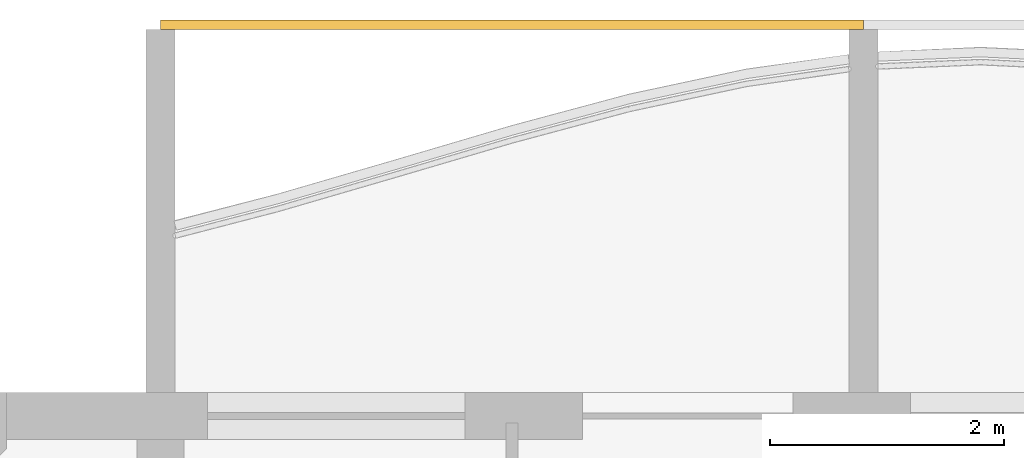
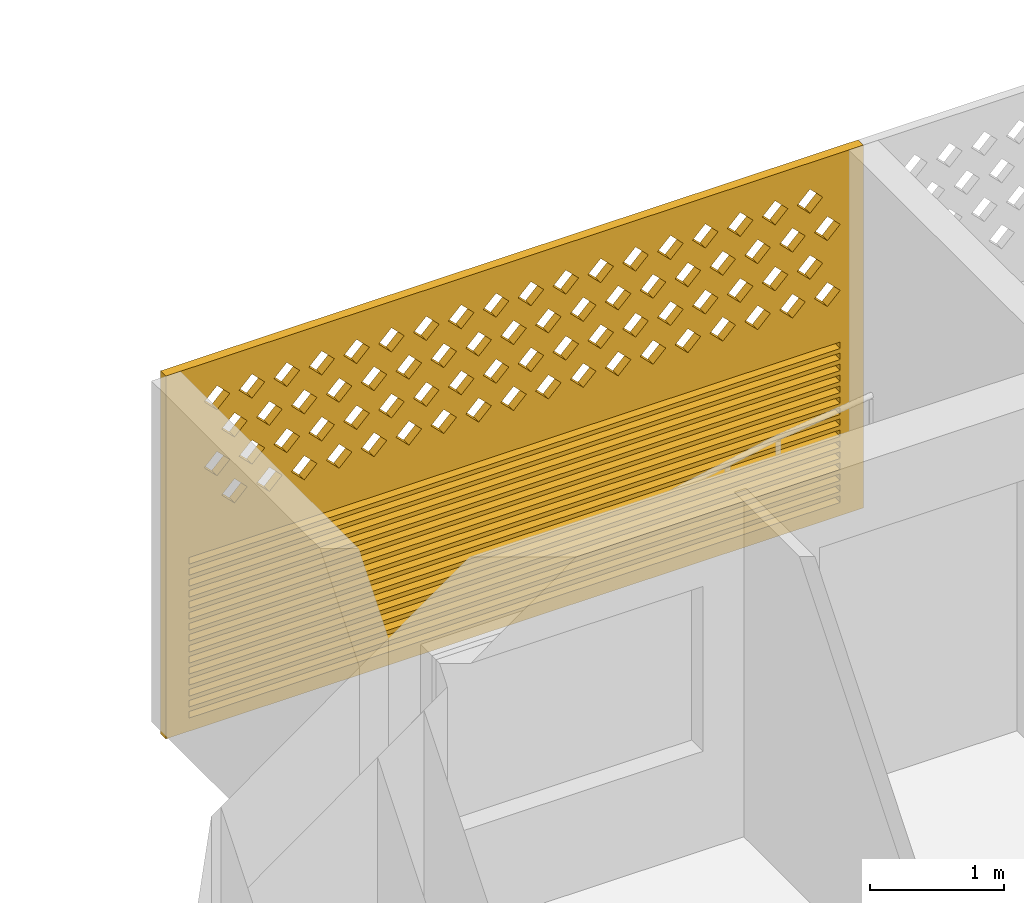
# One storey, part 21 of 40: 1 covering.
"""IFC4 building model written with IfcOpenShell, lengths in metres."""

from ifc_helpers import new_model, si_unit, direction, frame, origin, place, context, subcontext, project, spatial, polyline, outline, extrude, source, transform, mapped, material, material_profile, profile_set, type_object, element, save


model = new_model("IFC4")

# Units and contexts
model_context = context("Model", 3, precision=1e-05, world=origin(), true_north=direction((0.0, 1.0)))
body_context = subcontext(model_context, "Body", "Model", "MODEL_VIEW")
ifc_project = project(units=[si_unit("LENGTHUNIT", "METRE"), si_unit("AREAUNIT", "SQUARE_METRE"), si_unit("VOLUMEUNIT", "CUBIC_METRE"), si_unit("PLANEANGLEUNIT", "RADIAN"), si_unit("MASSUNIT", "GRAM", prefix="KILO")], contexts=[model_context])

# Site, building, storey
site_placement = place(None, origin())
site = spatial("IfcSite", under=ifc_project, at=site_placement, CompositionType="ELEMENT")
building_placement = place(site_placement, origin())
building = spatial("IfcBuilding", under=site, at=building_placement, Name="Poui Terraces", CompositionType="ELEMENT")
storey_placement = place(building_placement, frame((0.0, 0.0, 33.300048828125)))
storey = spatial("IfcBuildingStorey", under=building, at=storey_placement, Name="L08", CompositionType="ELEMENT", Elevation=33.300048828125)

# Covering
ifc_material = material(Name="Terracotta screen", Category="masonry")
ifc_material_profile = material_profile(ifc_material, outline(polyline([(-3.0, -1.64990234375), (3.0, -1.64990234375), (3.0, 1.64990234375), (-3.0, 1.64990234375), (-3.0, -1.64990234375)]), holes=[polyline([(-2.800048828125, 0.39990234375), (-2.68994140625, 0.2900390625), (-2.580078125, 0.39990234375), (-2.68994140625, 0.510009765625), (-2.800048828125, 0.39990234375)]), polyline([(-2.5, 0.39990234375), (-2.389892578125, 0.2900390625), (-2.280029296875, 0.39990234375), (-2.389892578125, 0.510009765625), (-2.5, 0.39990234375)]), polyline([(-2.199951171875, 0.39990234375), (-2.090087890625, 0.2900390625), (-1.97998046875, 0.39990234375), (-2.090087890625, 0.510009765625), (-2.199951171875, 0.39990234375)]), polyline([(-1.89990234375, 0.39990234375), (-1.7900390625, 0.2900390625), (-1.679931640625, 0.39990234375), (-1.7900390625, 0.510009765625), (-1.89990234375, 0.39990234375)]), polyline([(-1.60009765625, 0.39990234375), (-1.489990234375, 0.2900390625), (-1.3798828125, 0.39990234375), (-1.489990234375, 0.510009765625), (-1.60009765625, 0.39990234375)]), polyline([(-1.300048828125, 0.39990234375), (-1.18994140625, 0.2900390625), (-1.080078125, 0.39990234375), (-1.18994140625, 0.510009765625), (-1.300048828125, 0.39990234375)]), polyline([(-1.0, 0.39990234375), (-0.889892578125, 0.2900390625), (-0.780029296875, 0.39990234375), (-0.889892578125, 0.510009765625), (-1.0, 0.39990234375)]), polyline([(-0.699951171875, 0.39990234375), (-0.590087890625, 0.2900390625), (-0.47998046875, 0.39990234375), (-0.590087890625, 0.510009765625), (-0.699951171875, 0.39990234375)]), polyline([(-0.39990234375, 0.39990234375), (-0.2900390625, 0.2900390625), (-0.179931640625, 0.39990234375), (-0.2900390625, 0.510009765625), (-0.39990234375, 0.39990234375)]), polyline([(-0.10009765625, 0.39990234375), (0.010009765625, 0.2900390625), (0.1201171875, 0.39990234375), (0.010009765625, 0.510009765625), (-0.10009765625, 0.39990234375)]), polyline([(0.199951171875, 0.39990234375), (0.31005859375, 0.2900390625), (0.419921875, 0.39990234375), (0.31005859375, 0.510009765625), (0.199951171875, 0.39990234375)]), polyline([(0.5, 0.39990234375), (0.610107421875, 0.2900390625), (0.719970703125, 0.39990234375), (0.610107421875, 0.510009765625), (0.5, 0.39990234375)]), polyline([(0.800048828125, 0.39990234375), (0.909912109375, 0.2900390625), (1.02001953125, 0.39990234375), (0.909912109375, 0.510009765625), (0.800048828125, 0.39990234375)]), polyline([(1.10009765625, 0.39990234375), (1.2099609375, 0.2900390625), (1.320068359375, 0.39990234375), (1.2099609375, 0.510009765625), (1.10009765625, 0.39990234375)]), polyline([(1.39990234375, 0.39990234375), (1.510009765625, 0.2900390625), (1.6201171875, 0.39990234375), (1.510009765625, 0.510009765625), (1.39990234375, 0.39990234375)]), polyline([(1.699951171875, 0.39990234375), (1.81005859375, 0.2900390625), (1.919921875, 0.39990234375), (1.81005859375, 0.510009765625), (1.699951171875, 0.39990234375)]), polyline([(2.0, 0.39990234375), (2.110107421875, 0.2900390625), (2.219970703125, 0.39990234375), (2.110107421875, 0.510009765625), (2.0, 0.39990234375)]), polyline([(2.300048828125, 0.39990234375), (2.409912109375, 0.2900390625), (2.52001953125, 0.39990234375), (2.409912109375, 0.510009765625), (2.300048828125, 0.39990234375)]), polyline([(-2.64990234375, 0.699951171875), (-2.5400390625, 0.590087890625), (-2.429931640625, 0.699951171875), (-2.5400390625, 0.81005859375), (-2.64990234375, 0.699951171875)]), polyline([(-2.35009765625, 0.699951171875), (-2.239990234375, 0.590087890625), (-2.1298828125, 0.699951171875), (-2.239990234375, 0.81005859375), (-2.35009765625, 0.699951171875)]), polyline([(-2.050048828125, 0.699951171875), (-1.93994140625, 0.590087890625), (-1.830078125, 0.699951171875), (-1.93994140625, 0.81005859375), (-2.050048828125, 0.699951171875)]), polyline([(-1.75, 0.699951171875), (-1.639892578125, 0.590087890625), (-1.530029296875, 0.699951171875), (-1.639892578125, 0.81005859375), (-1.75, 0.699951171875)]), polyline([(-1.449951171875, 0.699951171875), (-1.340087890625, 0.590087890625), (-1.22998046875, 0.699951171875), (-1.340087890625, 0.81005859375), (-1.449951171875, 0.699951171875)]), polyline([(-1.14990234375, 0.699951171875), (-1.0400390625, 0.590087890625), (-0.929931640625, 0.699951171875), (-1.0400390625, 0.81005859375), (-1.14990234375, 0.699951171875)]), polyline([(-0.85009765625, 0.699951171875), (-0.739990234375, 0.590087890625), (-0.6298828125, 0.699951171875), (-0.739990234375, 0.81005859375), (-0.85009765625, 0.699951171875)]), polyline([(-0.550048828125, 0.699951171875), (-0.43994140625, 0.590087890625), (-0.330078125, 0.699951171875), (-0.43994140625, 0.81005859375), (-0.550048828125, 0.699951171875)]), polyline([(-0.25, 0.699951171875), (-0.139892578125, 0.590087890625), (-0.030029296875, 0.699951171875), (-0.139892578125, 0.81005859375), (-0.25, 0.699951171875)]), polyline([(0.050048828125, 0.699951171875), (0.159912109375, 0.590087890625), (0.27001953125, 0.699951171875), (0.159912109375, 0.81005859375), (0.050048828125, 0.699951171875)]), polyline([(0.35009765625, 0.699951171875), (0.4599609375, 0.590087890625), (0.570068359375, 0.699951171875), (0.4599609375, 0.81005859375), (0.35009765625, 0.699951171875)]), polyline([(0.64990234375, 0.699951171875), (0.760009765625, 0.590087890625), (0.8701171875, 0.699951171875), (0.760009765625, 0.81005859375), (0.64990234375, 0.699951171875)]), polyline([(0.949951171875, 0.699951171875), (1.06005859375, 0.590087890625), (1.169921875, 0.699951171875), (1.06005859375, 0.81005859375), (0.949951171875, 0.699951171875)]), polyline([(1.25, 0.699951171875), (1.360107421875, 0.590087890625), (1.469970703125, 0.699951171875), (1.360107421875, 0.81005859375), (1.25, 0.699951171875)]), polyline([(1.550048828125, 0.699951171875), (1.659912109375, 0.590087890625), (1.77001953125, 0.699951171875), (1.659912109375, 0.81005859375), (1.550048828125, 0.699951171875)]), polyline([(1.85009765625, 0.699951171875), (1.9599609375, 0.590087890625), (2.070068359375, 0.699951171875), (1.9599609375, 0.81005859375), (1.85009765625, 0.699951171875)]), polyline([(2.14990234375, 0.699951171875), (2.260009765625, 0.590087890625), (2.3701171875, 0.699951171875), (2.260009765625, 0.81005859375), (2.14990234375, 0.699951171875)]), polyline([(2.449951171875, 0.699951171875), (2.56005859375, 0.590087890625), (2.669921875, 0.699951171875), (2.56005859375, 0.81005859375), (2.449951171875, 0.699951171875)]), polyline([(-2.800048828125, 1.0), (-2.68994140625, 0.889892578125), (-2.580078125, 1.0), (-2.68994140625, 1.110107421875), (-2.800048828125, 1.0)]), polyline([(-2.5, 1.0), (-2.389892578125, 0.889892578125), (-2.280029296875, 1.0), (-2.389892578125, 1.110107421875), (-2.5, 1.0)]), polyline([(-2.199951171875, 1.0), (-2.090087890625, 0.889892578125), (-1.97998046875, 1.0), (-2.090087890625, 1.110107421875), (-2.199951171875, 1.0)]), polyline([(-1.89990234375, 1.0), (-1.7900390625, 0.889892578125), (-1.679931640625, 1.0), (-1.7900390625, 1.110107421875), (-1.89990234375, 1.0)]), polyline([(-1.60009765625, 1.0), (-1.489990234375, 0.889892578125), (-1.3798828125, 1.0), (-1.489990234375, 1.110107421875), (-1.60009765625, 1.0)]), polyline([(-1.300048828125, 1.0), (-1.18994140625, 0.889892578125), (-1.080078125, 1.0), (-1.18994140625, 1.110107421875), (-1.300048828125, 1.0)]), polyline([(-1.0, 1.0), (-0.889892578125, 0.889892578125), (-0.780029296875, 1.0), (-0.889892578125, 1.110107421875), (-1.0, 1.0)]), polyline([(-0.699951171875, 1.0), (-0.590087890625, 0.889892578125), (-0.47998046875, 1.0), (-0.590087890625, 1.110107421875), (-0.699951171875, 1.0)]), polyline([(-0.39990234375, 1.0), (-0.2900390625, 0.889892578125), (-0.179931640625, 1.0), (-0.2900390625, 1.110107421875), (-0.39990234375, 1.0)]), polyline([(-0.10009765625, 1.0), (0.010009765625, 0.889892578125), (0.1201171875, 1.0), (0.010009765625, 1.110107421875), (-0.10009765625, 1.0)]), polyline([(0.199951171875, 1.0), (0.31005859375, 0.889892578125), (0.419921875, 1.0), (0.31005859375, 1.110107421875), (0.199951171875, 1.0)]), polyline([(0.5, 1.0), (0.610107421875, 0.889892578125), (0.719970703125, 1.0), (0.610107421875, 1.110107421875), (0.5, 1.0)]), polyline([(0.800048828125, 1.0), (0.909912109375, 0.889892578125), (1.02001953125, 1.0), (0.909912109375, 1.110107421875), (0.800048828125, 1.0)]), polyline([(1.10009765625, 1.0), (1.2099609375, 0.889892578125), (1.320068359375, 1.0), (1.2099609375, 1.110107421875), (1.10009765625, 1.0)]), polyline([(1.39990234375, 1.0), (1.510009765625, 0.889892578125), (1.6201171875, 1.0), (1.510009765625, 1.110107421875), (1.39990234375, 1.0)]), polyline([(1.699951171875, 1.0), (1.81005859375, 0.889892578125), (1.919921875, 1.0), (1.81005859375, 1.110107421875), (1.699951171875, 1.0)]), polyline([(2.0, 1.0), (2.110107421875, 0.889892578125), (2.219970703125, 1.0), (2.110107421875, 1.110107421875), (2.0, 1.0)]), polyline([(2.300048828125, 1.0), (2.409912109375, 0.889892578125), (2.52001953125, 1.0), (2.409912109375, 1.110107421875), (2.300048828125, 1.0)]), polyline([(-2.64990234375, 1.300048828125), (-2.5400390625, 1.18994140625), (-2.429931640625, 1.300048828125), (-2.5400390625, 1.409912109375), (-2.64990234375, 1.300048828125)]), polyline([(-2.35009765625, 1.300048828125), (-2.239990234375, 1.18994140625), (-2.1298828125, 1.300048828125), (-2.239990234375, 1.409912109375), (-2.35009765625, 1.300048828125)]), polyline([(-2.050048828125, 1.300048828125), (-1.93994140625, 1.18994140625), (-1.830078125, 1.300048828125), (-1.93994140625, 1.409912109375), (-2.050048828125, 1.300048828125)]), polyline([(-1.75, 1.300048828125), (-1.639892578125, 1.18994140625), (-1.530029296875, 1.300048828125), (-1.639892578125, 1.409912109375), (-1.75, 1.300048828125)]), polyline([(-1.449951171875, 1.300048828125), (-1.340087890625, 1.18994140625), (-1.22998046875, 1.300048828125), (-1.340087890625, 1.409912109375), (-1.449951171875, 1.300048828125)]), polyline([(-1.14990234375, 1.300048828125), (-1.0400390625, 1.18994140625), (-0.929931640625, 1.300048828125), (-1.0400390625, 1.409912109375), (-1.14990234375, 1.300048828125)]), polyline([(-0.85009765625, 1.300048828125), (-0.739990234375, 1.18994140625), (-0.6298828125, 1.300048828125), (-0.739990234375, 1.409912109375), (-0.85009765625, 1.300048828125)]), polyline([(-0.550048828125, 1.300048828125), (-0.43994140625, 1.18994140625), (-0.330078125, 1.300048828125), (-0.43994140625, 1.409912109375), (-0.550048828125, 1.300048828125)]), polyline([(-0.25, 1.300048828125), (-0.139892578125, 1.18994140625), (-0.030029296875, 1.300048828125), (-0.139892578125, 1.409912109375), (-0.25, 1.300048828125)]), polyline([(0.050048828125, 1.300048828125), (0.159912109375, 1.18994140625), (0.27001953125, 1.300048828125), (0.159912109375, 1.409912109375), (0.050048828125, 1.300048828125)]), polyline([(0.35009765625, 1.300048828125), (0.4599609375, 1.18994140625), (0.570068359375, 1.300048828125), (0.4599609375, 1.409912109375), (0.35009765625, 1.300048828125)]), polyline([(0.64990234375, 1.300048828125), (0.760009765625, 1.18994140625), (0.8701171875, 1.300048828125), (0.760009765625, 1.409912109375), (0.64990234375, 1.300048828125)]), polyline([(0.949951171875, 1.300048828125), (1.06005859375, 1.18994140625), (1.169921875, 1.300048828125), (1.06005859375, 1.409912109375), (0.949951171875, 1.300048828125)]), polyline([(1.25, 1.300048828125), (1.360107421875, 1.18994140625), (1.469970703125, 1.300048828125), (1.360107421875, 1.409912109375), (1.25, 1.300048828125)]), polyline([(1.550048828125, 1.300048828125), (1.659912109375, 1.18994140625), (1.77001953125, 1.300048828125), (1.659912109375, 1.409912109375), (1.550048828125, 1.300048828125)]), polyline([(1.85009765625, 1.300048828125), (1.9599609375, 1.18994140625), (2.070068359375, 1.300048828125), (1.9599609375, 1.409912109375), (1.85009765625, 1.300048828125)]), polyline([(2.14990234375, 1.300048828125), (2.260009765625, 1.18994140625), (2.3701171875, 1.300048828125), (2.260009765625, 1.409912109375), (2.14990234375, 1.300048828125)]), polyline([(2.449951171875, 1.300048828125), (2.56005859375, 1.18994140625), (2.669921875, 1.300048828125), (2.56005859375, 1.409912109375), (2.449951171875, 1.300048828125)]), polyline([(-2.800048828125, -1.530029296875), (2.800048828125, -1.530029296875), (2.800048828125, -1.469970703125), (-2.800048828125, -1.469970703125), (-2.800048828125, -1.530029296875)]), polyline([(-2.800048828125, -1.429931640625), (2.800048828125, -1.429931640625), (2.800048828125, -1.3701171875), (-2.800048828125, -1.3701171875), (-2.800048828125, -1.429931640625)]), polyline([(-2.800048828125, -1.330078125), (2.800048828125, -1.330078125), (2.800048828125, -1.27001953125), (-2.800048828125, -1.27001953125), (-2.800048828125, -1.330078125)]), polyline([(-2.800048828125, -1.22998046875), (2.800048828125, -1.22998046875), (2.800048828125, -1.169921875), (-2.800048828125, -1.169921875), (-2.800048828125, -1.22998046875)]), polyline([(-2.800048828125, -1.1298828125), (2.800048828125, -1.1298828125), (2.800048828125, -1.070068359375), (-2.800048828125, -1.070068359375), (-2.800048828125, -1.1298828125)]), polyline([(-2.800048828125, -1.030029296875), (2.800048828125, -1.030029296875), (2.800048828125, -0.969970703125), (-2.800048828125, -0.969970703125), (-2.800048828125, -1.030029296875)]), polyline([(-2.800048828125, -0.929931640625), (2.800048828125, -0.929931640625), (2.800048828125, -0.8701171875), (-2.800048828125, -0.8701171875), (-2.800048828125, -0.929931640625)]), polyline([(-2.800048828125, -0.830078125), (2.800048828125, -0.830078125), (2.800048828125, -0.77001953125), (-2.800048828125, -0.77001953125), (-2.800048828125, -0.830078125)]), polyline([(-2.800048828125, -0.72998046875), (2.800048828125, -0.72998046875), (2.800048828125, -0.669921875), (-2.800048828125, -0.669921875), (-2.800048828125, -0.72998046875)]), polyline([(-2.800048828125, -0.6298828125), (2.800048828125, -0.6298828125), (2.800048828125, -0.570068359375), (-2.800048828125, -0.570068359375), (-2.800048828125, -0.6298828125)]), polyline([(-2.800048828125, -0.530029296875), (2.800048828125, -0.530029296875), (2.800048828125, -0.469970703125), (-2.800048828125, -0.469970703125), (-2.800048828125, -0.530029296875)]), polyline([(-2.800048828125, -0.429931640625), (2.800048828125, -0.429931640625), (2.800048828125, -0.3701171875), (-2.800048828125, -0.3701171875), (-2.800048828125, -0.429931640625)]), polyline([(-2.800048828125, -0.330078125), (2.800048828125, -0.330078125), (2.800048828125, -0.27001953125), (-2.800048828125, -0.27001953125), (-2.800048828125, -0.330078125)]), polyline([(-2.800048828125, -0.22998046875), (2.800048828125, -0.22998046875), (2.800048828125, -0.169921875), (-2.800048828125, -0.169921875), (-2.800048828125, -0.22998046875)]), polyline([(-2.800048828125, -0.1298828125), (2.800048828125, -0.1298828125), (2.800048828125, -0.070068359375), (-2.800048828125, -0.070068359375), (-2.800048828125, -0.1298828125)])]), Name="TERRACOTTA SCREEN AND JALOUSIE LOUVRE 6000X3300")
ifc_profile_set = profile_set([ifc_material_profile], Name="Terracotta screen")
covering_type = type_object("IfcCoveringType", Name="TERRACOTTA SCREEN AND JALOUSIE LOUVRE 6000X3300", PredefinedType="CLADDING", material=ifc_profile_set)
shared_shape = source(origin(), body_context, "Body", "SweptSolid", [
    extrude(outline(polyline([(-3.0, -1.64990234375), (3.0, -1.64990234375), (3.0, 1.64990234375), (-3.0, 1.64990234375), (-3.0, -1.64990234375)]), holes=[polyline([(-2.800048828125, 0.39990234375), (-2.68994140625, 0.2900390625), (-2.580078125, 0.39990234375), (-2.68994140625, 0.510009765625), (-2.800048828125, 0.39990234375)]), polyline([(-2.5, 0.39990234375), (-2.389892578125, 0.2900390625), (-2.280029296875, 0.39990234375), (-2.389892578125, 0.510009765625), (-2.5, 0.39990234375)]), polyline([(-2.199951171875, 0.39990234375), (-2.090087890625, 0.2900390625), (-1.97998046875, 0.39990234375), (-2.090087890625, 0.510009765625), (-2.199951171875, 0.39990234375)]), polyline([(-1.89990234375, 0.39990234375), (-1.7900390625, 0.2900390625), (-1.679931640625, 0.39990234375), (-1.7900390625, 0.510009765625), (-1.89990234375, 0.39990234375)]), polyline([(-1.60009765625, 0.39990234375), (-1.489990234375, 0.2900390625), (-1.3798828125, 0.39990234375), (-1.489990234375, 0.510009765625), (-1.60009765625, 0.39990234375)]), polyline([(-1.300048828125, 0.39990234375), (-1.18994140625, 0.2900390625), (-1.080078125, 0.39990234375), (-1.18994140625, 0.510009765625), (-1.300048828125, 0.39990234375)]), polyline([(-1.0, 0.39990234375), (-0.889892578125, 0.2900390625), (-0.780029296875, 0.39990234375), (-0.889892578125, 0.510009765625), (-1.0, 0.39990234375)]), polyline([(-0.699951171875, 0.39990234375), (-0.590087890625, 0.2900390625), (-0.47998046875, 0.39990234375), (-0.590087890625, 0.510009765625), (-0.699951171875, 0.39990234375)]), polyline([(-0.39990234375, 0.39990234375), (-0.2900390625, 0.2900390625), (-0.179931640625, 0.39990234375), (-0.2900390625, 0.510009765625), (-0.39990234375, 0.39990234375)]), polyline([(-0.10009765625, 0.39990234375), (0.010009765625, 0.2900390625), (0.1201171875, 0.39990234375), (0.010009765625, 0.510009765625), (-0.10009765625, 0.39990234375)]), polyline([(0.199951171875, 0.39990234375), (0.31005859375, 0.2900390625), (0.419921875, 0.39990234375), (0.31005859375, 0.510009765625), (0.199951171875, 0.39990234375)]), polyline([(0.5, 0.39990234375), (0.610107421875, 0.2900390625), (0.719970703125, 0.39990234375), (0.610107421875, 0.510009765625), (0.5, 0.39990234375)]), polyline([(0.800048828125, 0.39990234375), (0.909912109375, 0.2900390625), (1.02001953125, 0.39990234375), (0.909912109375, 0.510009765625), (0.800048828125, 0.39990234375)]), polyline([(1.10009765625, 0.39990234375), (1.2099609375, 0.2900390625), (1.320068359375, 0.39990234375), (1.2099609375, 0.510009765625), (1.10009765625, 0.39990234375)]), polyline([(1.39990234375, 0.39990234375), (1.510009765625, 0.2900390625), (1.6201171875, 0.39990234375), (1.510009765625, 0.510009765625), (1.39990234375, 0.39990234375)]), polyline([(1.699951171875, 0.39990234375), (1.81005859375, 0.2900390625), (1.919921875, 0.39990234375), (1.81005859375, 0.510009765625), (1.699951171875, 0.39990234375)]), polyline([(2.0, 0.39990234375), (2.110107421875, 0.2900390625), (2.219970703125, 0.39990234375), (2.110107421875, 0.510009765625), (2.0, 0.39990234375)]), polyline([(2.300048828125, 0.39990234375), (2.409912109375, 0.2900390625), (2.52001953125, 0.39990234375), (2.409912109375, 0.510009765625), (2.300048828125, 0.39990234375)]), polyline([(-2.64990234375, 0.699951171875), (-2.5400390625, 0.590087890625), (-2.429931640625, 0.699951171875), (-2.5400390625, 0.81005859375), (-2.64990234375, 0.699951171875)]), polyline([(-2.35009765625, 0.699951171875), (-2.239990234375, 0.590087890625), (-2.1298828125, 0.699951171875), (-2.239990234375, 0.81005859375), (-2.35009765625, 0.699951171875)]), polyline([(-2.050048828125, 0.699951171875), (-1.93994140625, 0.590087890625), (-1.830078125, 0.699951171875), (-1.93994140625, 0.81005859375), (-2.050048828125, 0.699951171875)]), polyline([(-1.75, 0.699951171875), (-1.639892578125, 0.590087890625), (-1.530029296875, 0.699951171875), (-1.639892578125, 0.81005859375), (-1.75, 0.699951171875)]), polyline([(-1.449951171875, 0.699951171875), (-1.340087890625, 0.590087890625), (-1.22998046875, 0.699951171875), (-1.340087890625, 0.81005859375), (-1.449951171875, 0.699951171875)]), polyline([(-1.14990234375, 0.699951171875), (-1.0400390625, 0.590087890625), (-0.929931640625, 0.699951171875), (-1.0400390625, 0.81005859375), (-1.14990234375, 0.699951171875)]), polyline([(-0.85009765625, 0.699951171875), (-0.739990234375, 0.590087890625), (-0.6298828125, 0.699951171875), (-0.739990234375, 0.81005859375), (-0.85009765625, 0.699951171875)]), polyline([(-0.550048828125, 0.699951171875), (-0.43994140625, 0.590087890625), (-0.330078125, 0.699951171875), (-0.43994140625, 0.81005859375), (-0.550048828125, 0.699951171875)]), polyline([(-0.25, 0.699951171875), (-0.139892578125, 0.590087890625), (-0.030029296875, 0.699951171875), (-0.139892578125, 0.81005859375), (-0.25, 0.699951171875)]), polyline([(0.050048828125, 0.699951171875), (0.159912109375, 0.590087890625), (0.27001953125, 0.699951171875), (0.159912109375, 0.81005859375), (0.050048828125, 0.699951171875)]), polyline([(0.35009765625, 0.699951171875), (0.4599609375, 0.590087890625), (0.570068359375, 0.699951171875), (0.4599609375, 0.81005859375), (0.35009765625, 0.699951171875)]), polyline([(0.64990234375, 0.699951171875), (0.760009765625, 0.590087890625), (0.8701171875, 0.699951171875), (0.760009765625, 0.81005859375), (0.64990234375, 0.699951171875)]), polyline([(0.949951171875, 0.699951171875), (1.06005859375, 0.590087890625), (1.169921875, 0.699951171875), (1.06005859375, 0.81005859375), (0.949951171875, 0.699951171875)]), polyline([(1.25, 0.699951171875), (1.360107421875, 0.590087890625), (1.469970703125, 0.699951171875), (1.360107421875, 0.81005859375), (1.25, 0.699951171875)]), polyline([(1.550048828125, 0.699951171875), (1.659912109375, 0.590087890625), (1.77001953125, 0.699951171875), (1.659912109375, 0.81005859375), (1.550048828125, 0.699951171875)]), polyline([(1.85009765625, 0.699951171875), (1.9599609375, 0.590087890625), (2.070068359375, 0.699951171875), (1.9599609375, 0.81005859375), (1.85009765625, 0.699951171875)]), polyline([(2.14990234375, 0.699951171875), (2.260009765625, 0.590087890625), (2.3701171875, 0.699951171875), (2.260009765625, 0.81005859375), (2.14990234375, 0.699951171875)]), polyline([(2.449951171875, 0.699951171875), (2.56005859375, 0.590087890625), (2.669921875, 0.699951171875), (2.56005859375, 0.81005859375), (2.449951171875, 0.699951171875)]), polyline([(-2.800048828125, 1.0), (-2.68994140625, 0.889892578125), (-2.580078125, 1.0), (-2.68994140625, 1.110107421875), (-2.800048828125, 1.0)]), polyline([(-2.5, 1.0), (-2.389892578125, 0.889892578125), (-2.280029296875, 1.0), (-2.389892578125, 1.110107421875), (-2.5, 1.0)]), polyline([(-2.199951171875, 1.0), (-2.090087890625, 0.889892578125), (-1.97998046875, 1.0), (-2.090087890625, 1.110107421875), (-2.199951171875, 1.0)]), polyline([(-1.89990234375, 1.0), (-1.7900390625, 0.889892578125), (-1.679931640625, 1.0), (-1.7900390625, 1.110107421875), (-1.89990234375, 1.0)]), polyline([(-1.60009765625, 1.0), (-1.489990234375, 0.889892578125), (-1.3798828125, 1.0), (-1.489990234375, 1.110107421875), (-1.60009765625, 1.0)]), polyline([(-1.300048828125, 1.0), (-1.18994140625, 0.889892578125), (-1.080078125, 1.0), (-1.18994140625, 1.110107421875), (-1.300048828125, 1.0)]), polyline([(-1.0, 1.0), (-0.889892578125, 0.889892578125), (-0.780029296875, 1.0), (-0.889892578125, 1.110107421875), (-1.0, 1.0)]), polyline([(-0.699951171875, 1.0), (-0.590087890625, 0.889892578125), (-0.47998046875, 1.0), (-0.590087890625, 1.110107421875), (-0.699951171875, 1.0)]), polyline([(-0.39990234375, 1.0), (-0.2900390625, 0.889892578125), (-0.179931640625, 1.0), (-0.2900390625, 1.110107421875), (-0.39990234375, 1.0)]), polyline([(-0.10009765625, 1.0), (0.010009765625, 0.889892578125), (0.1201171875, 1.0), (0.010009765625, 1.110107421875), (-0.10009765625, 1.0)]), polyline([(0.199951171875, 1.0), (0.31005859375, 0.889892578125), (0.419921875, 1.0), (0.31005859375, 1.110107421875), (0.199951171875, 1.0)]), polyline([(0.5, 1.0), (0.610107421875, 0.889892578125), (0.719970703125, 1.0), (0.610107421875, 1.110107421875), (0.5, 1.0)]), polyline([(0.800048828125, 1.0), (0.909912109375, 0.889892578125), (1.02001953125, 1.0), (0.909912109375, 1.110107421875), (0.800048828125, 1.0)]), polyline([(1.10009765625, 1.0), (1.2099609375, 0.889892578125), (1.320068359375, 1.0), (1.2099609375, 1.110107421875), (1.10009765625, 1.0)]), polyline([(1.39990234375, 1.0), (1.510009765625, 0.889892578125), (1.6201171875, 1.0), (1.510009765625, 1.110107421875), (1.39990234375, 1.0)]), polyline([(1.699951171875, 1.0), (1.81005859375, 0.889892578125), (1.919921875, 1.0), (1.81005859375, 1.110107421875), (1.699951171875, 1.0)]), polyline([(2.0, 1.0), (2.110107421875, 0.889892578125), (2.219970703125, 1.0), (2.110107421875, 1.110107421875), (2.0, 1.0)]), polyline([(2.300048828125, 1.0), (2.409912109375, 0.889892578125), (2.52001953125, 1.0), (2.409912109375, 1.110107421875), (2.300048828125, 1.0)]), polyline([(-2.64990234375, 1.300048828125), (-2.5400390625, 1.18994140625), (-2.429931640625, 1.300048828125), (-2.5400390625, 1.409912109375), (-2.64990234375, 1.300048828125)]), polyline([(-2.35009765625, 1.300048828125), (-2.239990234375, 1.18994140625), (-2.1298828125, 1.300048828125), (-2.239990234375, 1.409912109375), (-2.35009765625, 1.300048828125)]), polyline([(-2.050048828125, 1.300048828125), (-1.93994140625, 1.18994140625), (-1.830078125, 1.300048828125), (-1.93994140625, 1.409912109375), (-2.050048828125, 1.300048828125)]), polyline([(-1.75, 1.300048828125), (-1.639892578125, 1.18994140625), (-1.530029296875, 1.300048828125), (-1.639892578125, 1.409912109375), (-1.75, 1.300048828125)]), polyline([(-1.449951171875, 1.300048828125), (-1.340087890625, 1.18994140625), (-1.22998046875, 1.300048828125), (-1.340087890625, 1.409912109375), (-1.449951171875, 1.300048828125)]), polyline([(-1.14990234375, 1.300048828125), (-1.0400390625, 1.18994140625), (-0.929931640625, 1.300048828125), (-1.0400390625, 1.409912109375), (-1.14990234375, 1.300048828125)]), polyline([(-0.85009765625, 1.300048828125), (-0.739990234375, 1.18994140625), (-0.6298828125, 1.300048828125), (-0.739990234375, 1.409912109375), (-0.85009765625, 1.300048828125)]), polyline([(-0.550048828125, 1.300048828125), (-0.43994140625, 1.18994140625), (-0.330078125, 1.300048828125), (-0.43994140625, 1.409912109375), (-0.550048828125, 1.300048828125)]), polyline([(-0.25, 1.300048828125), (-0.139892578125, 1.18994140625), (-0.030029296875, 1.300048828125), (-0.139892578125, 1.409912109375), (-0.25, 1.300048828125)]), polyline([(0.050048828125, 1.300048828125), (0.159912109375, 1.18994140625), (0.27001953125, 1.300048828125), (0.159912109375, 1.409912109375), (0.050048828125, 1.300048828125)]), polyline([(0.35009765625, 1.300048828125), (0.4599609375, 1.18994140625), (0.570068359375, 1.300048828125), (0.4599609375, 1.409912109375), (0.35009765625, 1.300048828125)]), polyline([(0.64990234375, 1.300048828125), (0.760009765625, 1.18994140625), (0.8701171875, 1.300048828125), (0.760009765625, 1.409912109375), (0.64990234375, 1.300048828125)]), polyline([(0.949951171875, 1.300048828125), (1.06005859375, 1.18994140625), (1.169921875, 1.300048828125), (1.06005859375, 1.409912109375), (0.949951171875, 1.300048828125)]), polyline([(1.25, 1.300048828125), (1.360107421875, 1.18994140625), (1.469970703125, 1.300048828125), (1.360107421875, 1.409912109375), (1.25, 1.300048828125)]), polyline([(1.550048828125, 1.300048828125), (1.659912109375, 1.18994140625), (1.77001953125, 1.300048828125), (1.659912109375, 1.409912109375), (1.550048828125, 1.300048828125)]), polyline([(1.85009765625, 1.300048828125), (1.9599609375, 1.18994140625), (2.070068359375, 1.300048828125), (1.9599609375, 1.409912109375), (1.85009765625, 1.300048828125)]), polyline([(2.14990234375, 1.300048828125), (2.260009765625, 1.18994140625), (2.3701171875, 1.300048828125), (2.260009765625, 1.409912109375), (2.14990234375, 1.300048828125)]), polyline([(2.449951171875, 1.300048828125), (2.56005859375, 1.18994140625), (2.669921875, 1.300048828125), (2.56005859375, 1.409912109375), (2.449951171875, 1.300048828125)]), polyline([(-2.800048828125, -1.530029296875), (2.800048828125, -1.530029296875), (2.800048828125, -1.469970703125), (-2.800048828125, -1.469970703125), (-2.800048828125, -1.530029296875)]), polyline([(-2.800048828125, -1.429931640625), (2.800048828125, -1.429931640625), (2.800048828125, -1.3701171875), (-2.800048828125, -1.3701171875), (-2.800048828125, -1.429931640625)]), polyline([(-2.800048828125, -1.330078125), (2.800048828125, -1.330078125), (2.800048828125, -1.27001953125), (-2.800048828125, -1.27001953125), (-2.800048828125, -1.330078125)]), polyline([(-2.800048828125, -1.22998046875), (2.800048828125, -1.22998046875), (2.800048828125, -1.169921875), (-2.800048828125, -1.169921875), (-2.800048828125, -1.22998046875)]), polyline([(-2.800048828125, -1.1298828125), (2.800048828125, -1.1298828125), (2.800048828125, -1.070068359375), (-2.800048828125, -1.070068359375), (-2.800048828125, -1.1298828125)]), polyline([(-2.800048828125, -1.030029296875), (2.800048828125, -1.030029296875), (2.800048828125, -0.969970703125), (-2.800048828125, -0.969970703125), (-2.800048828125, -1.030029296875)]), polyline([(-2.800048828125, -0.929931640625), (2.800048828125, -0.929931640625), (2.800048828125, -0.8701171875), (-2.800048828125, -0.8701171875), (-2.800048828125, -0.929931640625)]), polyline([(-2.800048828125, -0.830078125), (2.800048828125, -0.830078125), (2.800048828125, -0.77001953125), (-2.800048828125, -0.77001953125), (-2.800048828125, -0.830078125)]), polyline([(-2.800048828125, -0.72998046875), (2.800048828125, -0.72998046875), (2.800048828125, -0.669921875), (-2.800048828125, -0.669921875), (-2.800048828125, -0.72998046875)]), polyline([(-2.800048828125, -0.6298828125), (2.800048828125, -0.6298828125), (2.800048828125, -0.570068359375), (-2.800048828125, -0.570068359375), (-2.800048828125, -0.6298828125)]), polyline([(-2.800048828125, -0.530029296875), (2.800048828125, -0.530029296875), (2.800048828125, -0.469970703125), (-2.800048828125, -0.469970703125), (-2.800048828125, -0.530029296875)]), polyline([(-2.800048828125, -0.429931640625), (2.800048828125, -0.429931640625), (2.800048828125, -0.3701171875), (-2.800048828125, -0.3701171875), (-2.800048828125, -0.429931640625)]), polyline([(-2.800048828125, -0.330078125), (2.800048828125, -0.330078125), (2.800048828125, -0.27001953125), (-2.800048828125, -0.27001953125), (-2.800048828125, -0.330078125)]), polyline([(-2.800048828125, -0.22998046875), (2.800048828125, -0.22998046875), (2.800048828125, -0.169921875), (-2.800048828125, -0.169921875), (-2.800048828125, -0.22998046875)]), polyline([(-2.800048828125, -0.1298828125), (2.800048828125, -0.1298828125), (2.800048828125, -0.070068359375), (-2.800048828125, -0.070068359375), (-2.800048828125, -0.1298828125)])]), origin(), (0.0, 0.0, 1.0), 0.079833984375),
])
covering_placement = place(storey_placement, frame((9.0, 48.10009765625, 1.449951171875), z_axis=(0.0, 1.0, 0.0), x_axis=(-1.0, 0.0, 0.0)))
element("IfcCovering", 1, at=covering_placement, inside=storey, type_object=covering_type, Name="SOLAR SCREEN AND JALOUSIE LOUVRE", PredefinedType="CLADDING", context=body_context, shape_type="MappedRepresentation", body=[
    mapped(shared_shape, transform((0.0, 0.0, 0.0))),
])

save(model, "model.ifc")
